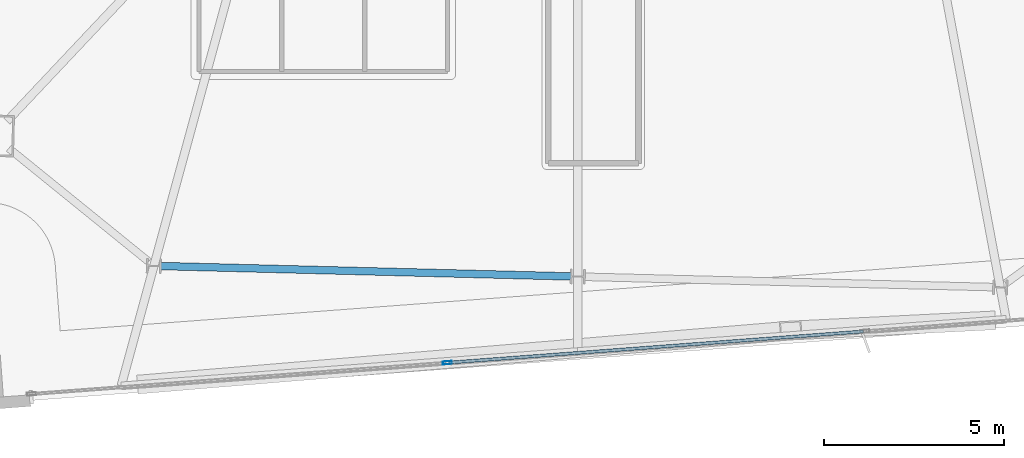
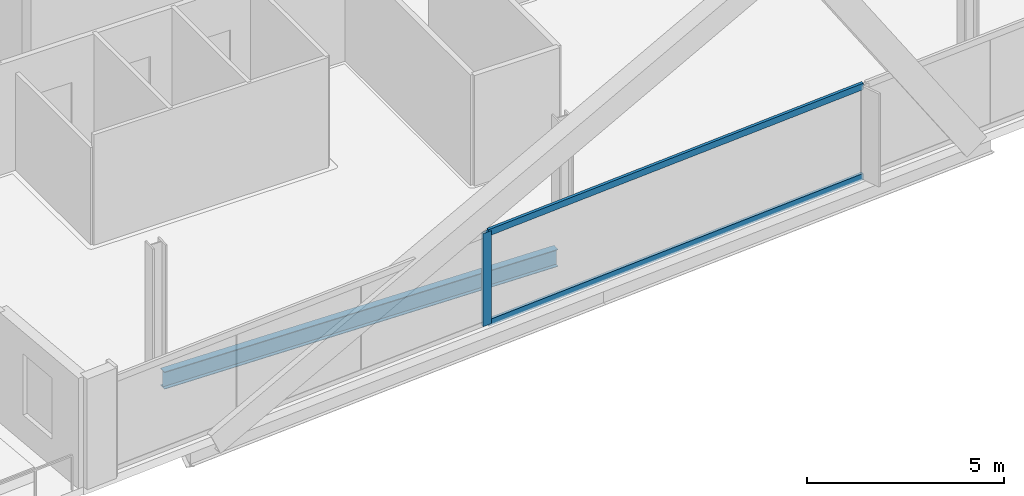
# One storey, part 4 of 23: 3 members, 1 beam, 1 element without a shape of its own.
"""IFC4 building model written with IfcOpenShell, lengths in metres."""

from ifc_helpers import new_model, si_unit, direction, frame, origin, origin_2d, place, context, subcontext, project, spatial, hollow_rectangle, i_section, extrude, material, material_profile, profile_set, type_object, element, aggregate, save


model = new_model("IFC4")

# Units and contexts
model_context = context("Model", 3, precision=1e-05, world=origin(), true_north=direction((0.0, 1.0)))
body_context = subcontext(model_context, "Body", "Model", "MODEL_VIEW")
ifc_project = project(units=[si_unit("LENGTHUNIT", "METRE"), si_unit("AREAUNIT", "SQUARE_METRE"), si_unit("VOLUMEUNIT", "CUBIC_METRE"), si_unit("PLANEANGLEUNIT", "RADIAN"), si_unit("MASSUNIT", "GRAM", prefix="KILO")], contexts=[model_context])

# Site, building, storey
site_placement = place(None, origin())
site = spatial("IfcSite", under=ifc_project, at=site_placement, CompositionType="ELEMENT")
building_placement = place(site_placement, origin())
building = spatial("IfcBuilding", under=site, at=building_placement, Name="Haldenkirk Collegiate Tower", CompositionType="ELEMENT")
storey_placement = place(building_placement, frame((0.0, 0.0, 343.949951171875)))
storey = spatial("IfcBuildingStorey", under=building, at=storey_placement, Name="L87", CompositionType="ELEMENT", Elevation=343.949951171875)

# Beam
ifc_material_1 = material(Name="Steel ASTM A992 Grade 50", Category="steel")
ifc_material_profile_1 = material_profile(ifc_material_1, i_section(OverallWidth=0.2099609375, OverallDepth=0.537109375, WebThickness=0.010986328125, FlangeThickness=0.017333984375, at=origin_2d()), Name="W21X68")
ifc_profile_set_1 = profile_set([ifc_material_profile_1], Name="Steel ASTM A992 Grade 50")
beam_type = type_object("IfcBeamType", Name="BM-SPANDREL-W21X68", PredefinedType="SPANDREL", material=ifc_profile_set_1)
beam_placement = place(storey_placement, frame((23.984375, 6.247802734375, -0.528564453125), z_axis=(0.99967950041, -0.02531593293, 0.0), x_axis=(0.02531593293, 0.99967950041, 0.0)))
element("IfcBeam", 1, at=beam_placement, inside=storey, type_object=beam_type, Name="L87 perimeter spandrel beam 14", PredefinedType="SPANDREL", context=body_context, shape_type="SweptSolid", body=[
    extrude(i_section(OverallWidth=0.2099609375, OverallDepth=0.537109375, WebThickness=0.010986328125, FlangeThickness=0.017333984375, at=origin_2d()), origin(), (0.0, 0.0, 1.0), 11.39892578125),
])

# Curtain wall, members
ifc_material_2 = material(Name="Anodised architectural bronze aluminium", Category="aluminium")
curtain_wall_type = type_object("IfcCurtainWallType", Name="CW-SYS1B-CONVEX-HI", PredefinedType="USERDEFINED", material=ifc_material_2)
curtain_wall_placement = place(storey_placement, origin())
curtain_wall = element("IfcCurtainWall", 2, at=curtain_wall_placement, inside=storey, type_object=curtain_wall_type, Name="L87 Upper tower high-wind convex bronze unitised curtain wall", ObjectType="UNITISED CURTAIN WALL", PredefinedType="USERDEFINED")
ifc_material_profile_2 = material_profile(ifc_material_2, hollow_rectangle(XDim=0.0849609375, YDim=0.25, WallThickness=0.0048828125, at=origin_2d()), Name="CW-MUL-1B")
ifc_profile_set_2 = profile_set([ifc_material_profile_2], Name="Anodised architectural bronze aluminium")
member_type_1 = type_object("IfcMemberType", Name="CW-MUL-1B", PredefinedType="MULLION", material=ifc_profile_set_2)
member_1_placement = place(storey_placement, frame((31.94580078125, 3.56298828125, 0.0), z_axis=(0.0, 0.0, 1.0), x_axis=(0.074976425073, -0.997185306592, 0.0)))
member_1 = element("IfcMember", 3, at=member_1_placement, type_object=member_type_1, Name="CW-1B mullion 3", PredefinedType="MULLION", context=body_context, shape_type="SweptSolid", body=[
    extrude(hollow_rectangle(XDim=0.0849609375, YDim=0.25, WallThickness=0.0048828125, at=origin_2d()), origin(), (0.0, 0.0, 1.0), 2.887939453125),
])
ifc_material_profile_3 = material_profile(ifc_material_2, hollow_rectangle(XDim=0.0849609375, YDim=0.199951171875, WallThickness=0.0048828125, at=origin_2d()), Name="CW-TRN-1B")
ifc_profile_set_3 = profile_set([ifc_material_profile_3], Name="Anodised architectural bronze aluminium")
member_type_2 = type_object("IfcMemberType", Name="CW-TRN-1B", PredefinedType="USERDEFINED", material=ifc_profile_set_3)
member_2_placement = place(storey_placement, frame((43.495849609375, 4.431396484375, 0.04248046875), z_axis=(-0.997185289254, -0.074976655672, 0.0), x_axis=(0.074976655672, -0.997185289254, 0.0)))
member_2 = element("IfcMember", 4, at=member_2_placement, type_object=member_type_2, Name="CW-1B transom 2.1", ObjectType="TRANSOM", PredefinedType="USERDEFINED", context=body_context, shape_type="SweptSolid", body=[
    extrude(hollow_rectangle(XDim=0.0849609375, YDim=0.199951171875, WallThickness=0.0048828125, at=origin_2d()), origin(), (0.0, 0.0, 1.0), 11.5400390625),
])
member_3_placement = place(storey_placement, frame((43.495849609375, 4.431396484375, 2.845458984375), z_axis=(-0.997185289254, -0.074976655672, 0.0), x_axis=(0.074976655672, -0.997185289254, 0.0)))
member_3 = element("IfcMember", 5, at=member_3_placement, type_object=member_type_2, Name="CW-1B transom 2.2", ObjectType="TRANSOM", PredefinedType="USERDEFINED", context=body_context, shape_type="SweptSolid", body=[
    extrude(hollow_rectangle(XDim=0.0849609375, YDim=0.199951171875, WallThickness=0.0048828125, at=origin_2d()), origin(), (0.0, 0.0, 1.0), 11.5400390625),
])
aggregate(curtain_wall, [member_1, member_2, member_3])

save(model, "model.ifc")
